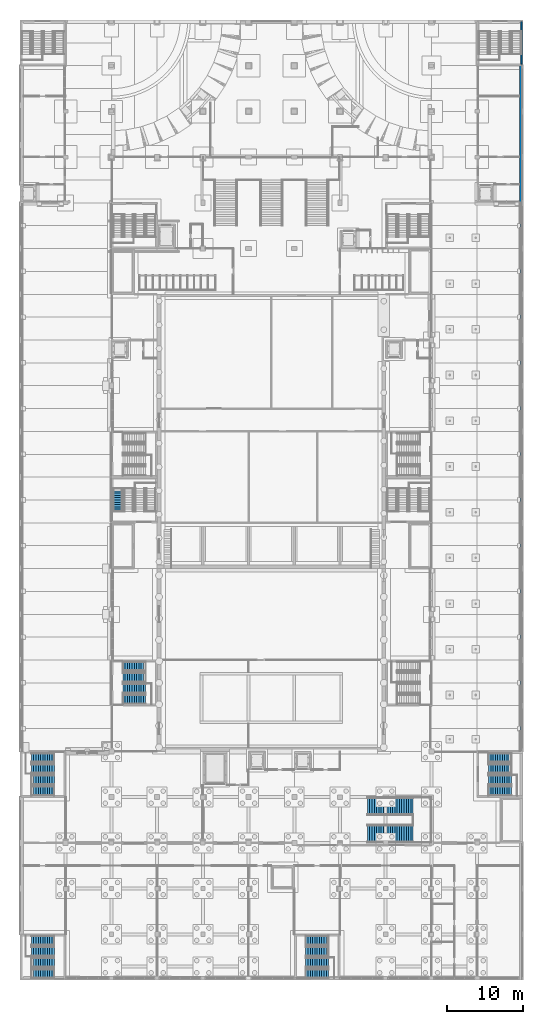
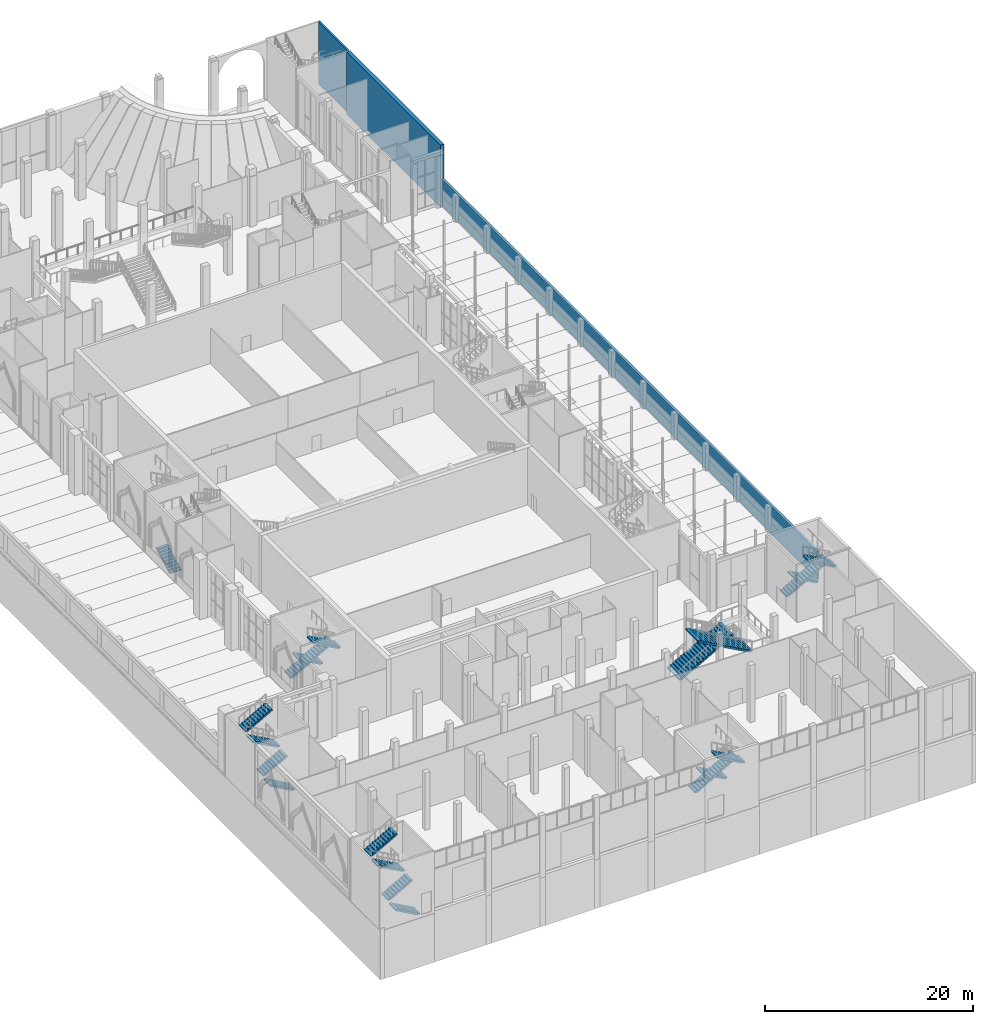
# One storey, part 53 of 95: 23 stair flights, 3 walls, 7 elements without a shape of their own.
"""IFC4 building model written with IfcOpenShell, lengths in metres."""

from ifc_helpers import new_model, si_unit, direction, frame, frame_2d, origin, place, context, subcontext, project, spatial, polyline, rectangle, outline, extrude, material, layer, layer_set, type_object, element, aggregate, save


model = new_model("IFC4")

# Units and contexts
model_context = context("Model", 3, precision=1e-05, world=origin(), true_north=direction((0.0, 1.0)))
body_context = subcontext(model_context, "Body", "Model", "MODEL_VIEW")
ifc_project = project(units=[si_unit("LENGTHUNIT", "METRE"), si_unit("AREAUNIT", "SQUARE_METRE"), si_unit("VOLUMEUNIT", "CUBIC_METRE"), si_unit("PLANEANGLEUNIT", "RADIAN"), si_unit("MASSUNIT", "GRAM", prefix="KILO")], contexts=[model_context])

# Site, building, storey
site_placement = place(None, origin())
site = spatial("IfcSite", under=ifc_project, at=site_placement, CompositionType="ELEMENT")
building_placement = place(site_placement, origin())
building = spatial("IfcBuilding", under=site, at=building_placement, Name="Saffron Lane Theatres", CompositionType="ELEMENT")
storey_placement = place(building_placement, origin())
storey = spatial("IfcBuildingStorey", under=building, at=storey_placement, Name="L00", CompositionType="ELEMENT", Elevation=0.0)

# Walls
ifc_material_1 = material(Name="Concrete N50 (50 MPa)", Category="concrete")
ifc_layer_1 = layer(ifc_material_1, 0.25)
ifc_layer_set_1 = layer_set([ifc_layer_1], Name="Concrete N50 (50 MPa)")
wall_type_1 = type_object("IfcWallType", Name="RC-BOUNDARY 250", PredefinedType="SOLIDWALL", material=ifc_layer_set_1)
wall_1_placement = place(storey_placement, frame((65.81494140625, 30.0, -0.300048828125), z_axis=(0.0, 0.0, 1.0), x_axis=(0.0, 1.0, 0.0)))
element("IfcWall", 1, at=wall_1_placement, inside=storey, type_object=wall_type_1, Name="W-BOUNDARY-E-L00", PredefinedType="SOLIDWALL", context=body_context, shape_type="SweptSolid", body=[
    extrude(rectangle(XDim=72.0, YDim=0.25, at=frame_2d((36.0, 0.0))), origin(), (0.0, 0.0, 1.0), 3.300048828125),
])
ifc_material_2 = material(Name="Concrete N50 (50 MPa)", Category="concrete")
ifc_layer_2 = layer(ifc_material_2, 0.199951171875)
ifc_layer_set_2 = layer_set([ifc_layer_2], Name="Concrete N50 (50 MPa)")
wall_type_2 = type_object("IfcWallType", Name="RC-CORE EXTERNAL 200", PredefinedType="SHEAR", material=ifc_layer_set_2)
wall_2_placement = place(storey_placement, frame((65.840087890625, 120.199951171875, -0.300048828125), z_axis=(0.0, 0.0, 1.0), x_axis=(0.0, 1.0, 0.0)))
element("IfcWall", 2, at=wall_2_placement, inside=storey, type_object=wall_type_2, Name="W-ST15-E-L00", PredefinedType="SHEAR", context=body_context, shape_type="SweptSolid", body=[
    extrude(rectangle(XDim=5.60009765625, YDim=0.199951171875, at=frame_2d((2.800048828125, 0.0))), origin(), (0.0, 0.0, 1.0), 7.300048828125),
])
ifc_material_3 = material(Name="Concrete N50 (50 MPa)", Category="concrete")
ifc_layer_3 = layer(ifc_material_3, 0.39990234375)
ifc_layer_set_3 = layer_set([ifc_layer_3], Name="Concrete N50 (50 MPa)")
wall_type_3 = type_object("IfcWallType", Name="RC-PARTY 400", PredefinedType="SOLIDWALL", material=ifc_layer_set_3)
wall_3_placement = place(storey_placement, frame((65.739990234375, 102.0, -0.300048828125), z_axis=(0.0, 0.0, 1.0), x_axis=(0.0, 1.0, 0.0)))
element("IfcWall", 3, at=wall_3_placement, inside=storey, type_object=wall_type_3, Name="W-PARTY-E-102-L00", PredefinedType="SOLIDWALL", context=body_context, shape_type="SweptSolid", body=[
    extrude(rectangle(XDim=18.0, YDim=0.39990234375, at=frame_2d((9.0, 0.0))), origin(), (0.0, 0.0, 1.0), 7.300048828125),
])

# Stair, stair flight
ifc_material_4 = material(Name="Concrete N40 (40 MPa)", Category="concrete")
stair_type_1 = type_object("IfcStairType", Name="VC-STAIR EXIT", PredefinedType="TWO_STRAIGHT_RUN_STAIR", material=ifc_material_4)
stair_1_placement = place(storey_placement, origin())
stair_1 = element("IfcStair", 4, at=stair_1_placement, inside=storey, type_object=stair_type_1, Name="Auditorium West Front Stair L00 to L01", PredefinedType="TWO_STRAIGHT_RUN_STAIR")
ifc_material_5 = material(Name="Concrete N40 (40 MPa)", Category="concrete")
stair_flight_type_1 = type_object("IfcStairFlightType", Name="VC-FLIGHT 1250", PredefinedType="STRAIGHT", material=ifc_material_5)
stair_flight_1_placement = place(storey_placement, frame((12.824951171875, 61.5, 0.0), z_axis=(0.0, 0.0, 1.0), x_axis=(0.0, 1.0, 0.0)))
stair_flight_1 = element("IfcStairFlight", 5, at=stair_flight_1_placement, type_object=stair_flight_type_1, Name="Auditorium West Front Stair flight 1.1", NumberOfRisers=10, NumberOfTreads=9, PredefinedType="STRAIGHT", RiserHeight=0.166666667, TreadLength=0.3, context=body_context, shape_type="SweptSolid", body=[
    extrude(outline(polyline([(0.0, 0.0), (0.0, 0.166748046875), (0.300048828125, 0.166748046875), (0.300048828125, 0.333251953125), (0.60009765625, 0.333251953125), (0.60009765625, 0.5), (0.89990234375, 0.5), (0.89990234375, 0.666748046875), (1.199951171875, 0.666748046875), (1.199951171875, 0.833251953125), (1.5, 0.833251953125), (1.5, 1.0), (1.800048828125, 1.0), (1.800048828125, 1.166748046875), (2.10009765625, 1.166748046875), (2.10009765625, 1.333251953125), (2.39990234375, 1.333251953125), (2.39990234375, 1.5), (2.699951171875, 1.5), (2.699951171875, 1.666748046875), (2.699951171875, 1.32861328125), (0.30859375, 0.0), (0.0, 0.0)])), frame((0.0, 0.625, 0.0), z_axis=(0.0, -1.0, 0.0), x_axis=(1.0, 0.0, 0.0)), (0.0, 0.0, 1.0), 1.25),
])
aggregate(stair_1, [stair_flight_1])

# Stair, stair flights
stair_2_placement = place(storey_placement, origin())
stair_2 = element("IfcStair", 6, at=stair_2_placement, inside=storey, type_object=stair_type_1, Name="Stage West Stair L00 to L01", PredefinedType="TWO_STRAIGHT_RUN_STAIR")
stair_flight_2_placement = place(storey_placement, frame((13.5, 41.175048828125, 0.0), z_axis=(0.0, 0.0, 1.0), x_axis=(1.0, 0.0, 0.0)))
stair_flight_2 = element("IfcStairFlight", 7, at=stair_flight_2_placement, type_object=stair_flight_type_1, Name="Stage West Stair flight 1.1", NumberOfRisers=10, NumberOfTreads=9, PredefinedType="STRAIGHT", RiserHeight=0.166666667, TreadLength=0.3, context=body_context, shape_type="SweptSolid", body=[
    extrude(outline(polyline([(0.0, 0.0), (0.0, 0.166748046875), (0.300048828125, 0.166748046875), (0.300048828125, 0.333251953125), (0.60009765625, 0.333251953125), (0.60009765625, 0.5), (0.89990234375, 0.5), (0.89990234375, 0.666748046875), (1.199951171875, 0.666748046875), (1.199951171875, 0.833251953125), (1.5, 0.833251953125), (1.5, 1.0), (1.800048828125, 1.0), (1.800048828125, 1.166748046875), (2.10009765625, 1.166748046875), (2.10009765625, 1.333251953125), (2.39990234375, 1.333251953125), (2.39990234375, 1.5), (2.699951171875, 1.5), (2.699951171875, 1.666748046875), (2.699951171875, 1.32861328125), (0.30859375, 0.0), (0.0, 0.0)])), frame((0.0, 0.625, 0.0), z_axis=(0.0, -1.0, 0.0), x_axis=(1.0, 0.0, 0.0)), (0.0, 0.0, 1.0), 1.25),
])
stair_flight_3_placement = place(storey_placement, frame((16.199951171875, 39.72509765625, 1.666748046875), z_axis=(0.0, 0.0, 1.0), x_axis=(-1.0, 0.0, 0.0)))
stair_flight_3 = element("IfcStairFlight", 8, at=stair_flight_3_placement, type_object=stair_flight_type_1, Name="Stage West Stair flight 1.2", NumberOfRisers=10, NumberOfTreads=9, PredefinedType="STRAIGHT", RiserHeight=0.166666667, TreadLength=0.3, context=body_context, shape_type="SweptSolid", body=[
    extrude(outline(polyline([(0.0, 0.0), (0.0, 0.166748046875), (0.300048828125, 0.166748046875), (0.300048828125, 0.333251953125), (0.60009765625, 0.333251953125), (0.60009765625, 0.5), (0.89990234375, 0.5), (0.89990234375, 0.666748046875), (1.199951171875, 0.666748046875), (1.199951171875, 0.833251953125), (1.5, 0.833251953125), (1.5, 1.0), (1.800048828125, 1.0), (1.800048828125, 1.166748046875), (2.10009765625, 1.166748046875), (2.10009765625, 1.333251953125), (2.39990234375, 1.333251953125), (2.39990234375, 1.5), (2.699951171875, 1.5), (2.699951171875, 1.666748046875), (2.699951171875, 1.32861328125), (0.30859375, 0.0), (0.0, 0.0)])), frame((0.0, 0.625, 0.0), z_axis=(0.0, -1.0, 0.0), x_axis=(1.0, 0.0, 0.0)), (0.0, 0.0, 1.0), 1.25),
])
stair_flight_4_placement = place(storey_placement, frame((13.5, 38.27490234375, 3.333251953125), z_axis=(0.0, 0.0, 1.0), x_axis=(1.0, 0.0, 0.0)))
stair_flight_4 = element("IfcStairFlight", 9, at=stair_flight_4_placement, type_object=stair_flight_type_1, Name="Stage West Stair flight 1.3", NumberOfRisers=11, NumberOfTreads=10, PredefinedType="STRAIGHT", RiserHeight=0.166666667, TreadLength=0.3, context=body_context, shape_type="SweptSolid", body=[
    extrude(outline(polyline([(0.0, 0.0), (0.0, 0.166748046875), (0.300048828125, 0.166748046875), (0.300048828125, 0.333251953125), (0.60009765625, 0.333251953125), (0.60009765625, 0.5), (0.89990234375, 0.5), (0.89990234375, 0.666748046875), (1.199951171875, 0.666748046875), (1.199951171875, 0.833251953125), (1.5, 0.833251953125), (1.5, 1.0), (1.800048828125, 1.0), (1.800048828125, 1.166748046875), (2.10009765625, 1.166748046875), (2.10009765625, 1.333251953125), (2.39990234375, 1.333251953125), (2.39990234375, 1.5), (2.699951171875, 1.5), (2.699951171875, 1.666748046875), (3.0, 1.666748046875), (3.0, 1.833251953125), (3.0, 1.4951171875), (0.30859375, 0.0), (0.0, 0.0)])), frame((0.0, 0.625, 0.0), z_axis=(0.0, -1.0, 0.0), x_axis=(1.0, 0.0, 0.0)), (0.0, 0.0, 1.0), 1.25),
])
stair_flight_5_placement = place(storey_placement, frame((16.5, 36.824951171875, 5.166748046875), z_axis=(0.0, 0.0, 1.0), x_axis=(-1.0, 0.0, 0.0)))
stair_flight_5 = element("IfcStairFlight", 10, at=stair_flight_5_placement, type_object=stair_flight_type_1, Name="Stage West Stair flight 1.4", NumberOfRisers=11, NumberOfTreads=10, PredefinedType="STRAIGHT", RiserHeight=0.166666667, TreadLength=0.3, context=body_context, shape_type="SweptSolid", body=[
    extrude(outline(polyline([(0.0, 0.0), (0.0, 0.166748046875), (0.300048828125, 0.166748046875), (0.300048828125, 0.333251953125), (0.60009765625, 0.333251953125), (0.60009765625, 0.5), (0.89990234375, 0.5), (0.89990234375, 0.666748046875), (1.199951171875, 0.666748046875), (1.199951171875, 0.833251953125), (1.5, 0.833251953125), (1.5, 1.0), (1.800048828125, 1.0), (1.800048828125, 1.166748046875), (2.10009765625, 1.166748046875), (2.10009765625, 1.333251953125), (2.39990234375, 1.333251953125), (2.39990234375, 1.5), (2.699951171875, 1.5), (2.699951171875, 1.666748046875), (3.0, 1.666748046875), (3.0, 1.833251953125), (3.0, 1.4951171875), (0.30859375, 0.0), (0.0, 0.0)])), frame((0.0, 0.625, 0.0), z_axis=(0.0, -1.0, 0.0), x_axis=(1.0, 0.0, 0.0)), (0.0, 0.0, 1.0), 1.25),
])
aggregate(stair_2, [stair_flight_2, stair_flight_3, stair_flight_4, stair_flight_5])

stair_3_placement = place(storey_placement, origin())
stair_3 = element("IfcStair", 11, at=stair_3_placement, inside=storey, type_object=stair_type_1, Name="Workshop South West Stair L00 to L01", PredefinedType="TWO_STRAIGHT_RUN_STAIR")
stair_flight_6_placement = place(storey_placement, frame((4.5, 0.824951171875, 0.0), z_axis=(0.0, 0.0, 1.0), x_axis=(-1.0, 0.0, 0.0)))
stair_flight_6 = element("IfcStairFlight", 12, at=stair_flight_6_placement, type_object=stair_flight_type_1, Name="Workshop South West Stair flight 1.1", NumberOfRisers=10, NumberOfTreads=9, PredefinedType="STRAIGHT", RiserHeight=0.166666667, TreadLength=0.3, context=body_context, shape_type="SweptSolid", body=[
    extrude(outline(polyline([(0.0, 0.0), (0.0, 0.166748046875), (0.300048828125, 0.166748046875), (0.300048828125, 0.333251953125), (0.60009765625, 0.333251953125), (0.60009765625, 0.5), (0.89990234375, 0.5), (0.89990234375, 0.666748046875), (1.199951171875, 0.666748046875), (1.199951171875, 0.833251953125), (1.5, 0.833251953125), (1.5, 1.0), (1.800048828125, 1.0), (1.800048828125, 1.166748046875), (2.10009765625, 1.166748046875), (2.10009765625, 1.333251953125), (2.39990234375, 1.333251953125), (2.39990234375, 1.5), (2.699951171875, 1.5), (2.699951171875, 1.666748046875), (2.699951171875, 1.32861328125), (0.30859375, 0.0), (0.0, 0.0)])), frame((0.0, 0.625, 0.0), z_axis=(0.0, -1.0, 0.0), x_axis=(1.0, 0.0, 0.0)), (0.0, 0.0, 1.0), 1.25),
])
stair_flight_7_placement = place(storey_placement, frame((1.800048828125, 2.27490234375, 1.666748046875), z_axis=(0.0, 0.0, 1.0), x_axis=(1.0, 0.0, 0.0)))
stair_flight_7 = element("IfcStairFlight", 13, at=stair_flight_7_placement, type_object=stair_flight_type_1, Name="Workshop South West Stair flight 1.2", NumberOfRisers=10, NumberOfTreads=9, PredefinedType="STRAIGHT", RiserHeight=0.166666667, TreadLength=0.3, context=body_context, shape_type="SweptSolid", body=[
    extrude(outline(polyline([(0.0, 0.0), (0.0, 0.166748046875), (0.300048828125, 0.166748046875), (0.300048828125, 0.333251953125), (0.60009765625, 0.333251953125), (0.60009765625, 0.5), (0.89990234375, 0.5), (0.89990234375, 0.666748046875), (1.199951171875, 0.666748046875), (1.199951171875, 0.833251953125), (1.5, 0.833251953125), (1.5, 1.0), (1.800048828125, 1.0), (1.800048828125, 1.166748046875), (2.10009765625, 1.166748046875), (2.10009765625, 1.333251953125), (2.39990234375, 1.333251953125), (2.39990234375, 1.5), (2.699951171875, 1.5), (2.699951171875, 1.666748046875), (2.699951171875, 1.32861328125), (0.30859375, 0.0), (0.0, 0.0)])), frame((0.0, 0.625, 0.0), z_axis=(0.0, -1.0, 0.0), x_axis=(1.0, 0.0, 0.0)), (0.0, 0.0, 1.0), 1.25),
])
stair_flight_8_placement = place(storey_placement, frame((4.5, 3.72509765625, 3.333251953125), z_axis=(0.0, 0.0, 1.0), x_axis=(-1.0, 0.0, 0.0)))
stair_flight_8 = element("IfcStairFlight", 14, at=stair_flight_8_placement, type_object=stair_flight_type_1, Name="Workshop South West Stair flight 1.3", NumberOfRisers=11, NumberOfTreads=10, PredefinedType="STRAIGHT", RiserHeight=0.166666667, TreadLength=0.3, context=body_context, shape_type="SweptSolid", body=[
    extrude(outline(polyline([(0.0, 0.0), (0.0, 0.166748046875), (0.300048828125, 0.166748046875), (0.300048828125, 0.333251953125), (0.60009765625, 0.333251953125), (0.60009765625, 0.5), (0.89990234375, 0.5), (0.89990234375, 0.666748046875), (1.199951171875, 0.666748046875), (1.199951171875, 0.833251953125), (1.5, 0.833251953125), (1.5, 1.0), (1.800048828125, 1.0), (1.800048828125, 1.166748046875), (2.10009765625, 1.166748046875), (2.10009765625, 1.333251953125), (2.39990234375, 1.333251953125), (2.39990234375, 1.5), (2.699951171875, 1.5), (2.699951171875, 1.666748046875), (3.0, 1.666748046875), (3.0, 1.833251953125), (3.0, 1.4951171875), (0.30859375, 0.0), (0.0, 0.0)])), frame((0.0, 0.625, 0.0), z_axis=(0.0, -1.0, 0.0), x_axis=(1.0, 0.0, 0.0)), (0.0, 0.0, 1.0), 1.25),
])
stair_flight_9_placement = place(storey_placement, frame((1.5, 5.175048828125, 5.166748046875), z_axis=(0.0, 0.0, 1.0), x_axis=(1.0, 0.0, 0.0)))
stair_flight_9 = element("IfcStairFlight", 15, at=stair_flight_9_placement, type_object=stair_flight_type_1, Name="Workshop South West Stair flight 1.4", NumberOfRisers=11, NumberOfTreads=10, PredefinedType="STRAIGHT", RiserHeight=0.166666667, TreadLength=0.3, context=body_context, shape_type="SweptSolid", body=[
    extrude(outline(polyline([(0.0, 0.0), (0.0, 0.166748046875), (0.300048828125, 0.166748046875), (0.300048828125, 0.333251953125), (0.60009765625, 0.333251953125), (0.60009765625, 0.5), (0.89990234375, 0.5), (0.89990234375, 0.666748046875), (1.199951171875, 0.666748046875), (1.199951171875, 0.833251953125), (1.5, 0.833251953125), (1.5, 1.0), (1.800048828125, 1.0), (1.800048828125, 1.166748046875), (2.10009765625, 1.166748046875), (2.10009765625, 1.333251953125), (2.39990234375, 1.333251953125), (2.39990234375, 1.5), (2.699951171875, 1.5), (2.699951171875, 1.666748046875), (3.0, 1.666748046875), (3.0, 1.833251953125), (3.0, 1.4951171875), (0.30859375, 0.0), (0.0, 0.0)])), frame((0.0, 0.625, 0.0), z_axis=(0.0, -1.0, 0.0), x_axis=(1.0, 0.0, 0.0)), (0.0, 0.0, 1.0), 1.25),
])
aggregate(stair_3, [stair_flight_6, stair_flight_7, stair_flight_8, stair_flight_9])

stair_4_placement = place(storey_placement, origin())
stair_4 = element("IfcStair", 16, at=stair_4_placement, inside=storey, type_object=stair_type_1, Name="Studio South Stair L00 to L01", PredefinedType="TWO_STRAIGHT_RUN_STAIR")
stair_flight_10_placement = place(storey_placement, frame((37.5, 5.175048828125, 0.0), z_axis=(0.0, 0.0, 1.0), x_axis=(1.0, 0.0, 0.0)))
stair_flight_10 = element("IfcStairFlight", 17, at=stair_flight_10_placement, type_object=stair_flight_type_1, Name="Studio South Stair flight 1.1", NumberOfRisers=10, NumberOfTreads=9, PredefinedType="STRAIGHT", RiserHeight=0.166666667, TreadLength=0.3, context=body_context, shape_type="SweptSolid", body=[
    extrude(outline(polyline([(0.0, 0.0), (0.0, 0.166748046875), (0.300048828125, 0.166748046875), (0.300048828125, 0.333251953125), (0.60009765625, 0.333251953125), (0.60009765625, 0.5), (0.89990234375, 0.5), (0.89990234375, 0.666748046875), (1.199951171875, 0.666748046875), (1.199951171875, 0.833251953125), (1.5, 0.833251953125), (1.5, 1.0), (1.800048828125, 1.0), (1.800048828125, 1.166748046875), (2.10009765625, 1.166748046875), (2.10009765625, 1.333251953125), (2.39990234375, 1.333251953125), (2.39990234375, 1.5), (2.699951171875, 1.5), (2.699951171875, 1.666748046875), (2.699951171875, 1.32861328125), (0.30859375, 0.0), (0.0, 0.0)])), frame((0.0, 0.625, 0.0), z_axis=(0.0, -1.0, 0.0), x_axis=(1.0, 0.0, 0.0)), (0.0, 0.0, 1.0), 1.25),
])
stair_flight_11_placement = place(storey_placement, frame((40.199951171875, 3.72509765625, 1.666748046875), z_axis=(0.0, 0.0, 1.0), x_axis=(-1.0, 0.0, 0.0)))
stair_flight_11 = element("IfcStairFlight", 18, at=stair_flight_11_placement, type_object=stair_flight_type_1, Name="Studio South Stair flight 1.2", NumberOfRisers=10, NumberOfTreads=9, PredefinedType="STRAIGHT", RiserHeight=0.166666667, TreadLength=0.3, context=body_context, shape_type="SweptSolid", body=[
    extrude(outline(polyline([(0.0, 0.0), (0.0, 0.166748046875), (0.300048828125, 0.166748046875), (0.300048828125, 0.333251953125), (0.60009765625, 0.333251953125), (0.60009765625, 0.5), (0.89990234375, 0.5), (0.89990234375, 0.666748046875), (1.199951171875, 0.666748046875), (1.199951171875, 0.833251953125), (1.5, 0.833251953125), (1.5, 1.0), (1.800048828125, 1.0), (1.800048828125, 1.166748046875), (2.10009765625, 1.166748046875), (2.10009765625, 1.333251953125), (2.39990234375, 1.333251953125), (2.39990234375, 1.5), (2.699951171875, 1.5), (2.699951171875, 1.666748046875), (2.699951171875, 1.32861328125), (0.30859375, 0.0), (0.0, 0.0)])), frame((0.0, 0.625, 0.0), z_axis=(0.0, -1.0, 0.0), x_axis=(1.0, 0.0, 0.0)), (0.0, 0.0, 1.0), 1.25),
])
stair_flight_12_placement = place(storey_placement, frame((37.5, 2.27490234375, 3.333251953125), z_axis=(0.0, 0.0, 1.0), x_axis=(1.0, 0.0, 0.0)))
stair_flight_12 = element("IfcStairFlight", 19, at=stair_flight_12_placement, type_object=stair_flight_type_1, Name="Studio South Stair flight 1.3", NumberOfRisers=11, NumberOfTreads=10, PredefinedType="STRAIGHT", RiserHeight=0.166666667, TreadLength=0.3, context=body_context, shape_type="SweptSolid", body=[
    extrude(outline(polyline([(0.0, 0.0), (0.0, 0.166748046875), (0.300048828125, 0.166748046875), (0.300048828125, 0.333251953125), (0.60009765625, 0.333251953125), (0.60009765625, 0.5), (0.89990234375, 0.5), (0.89990234375, 0.666748046875), (1.199951171875, 0.666748046875), (1.199951171875, 0.833251953125), (1.5, 0.833251953125), (1.5, 1.0), (1.800048828125, 1.0), (1.800048828125, 1.166748046875), (2.10009765625, 1.166748046875), (2.10009765625, 1.333251953125), (2.39990234375, 1.333251953125), (2.39990234375, 1.5), (2.699951171875, 1.5), (2.699951171875, 1.666748046875), (3.0, 1.666748046875), (3.0, 1.833251953125), (3.0, 1.4951171875), (0.30859375, 0.0), (0.0, 0.0)])), frame((0.0, 0.625, 0.0), z_axis=(0.0, -1.0, 0.0), x_axis=(1.0, 0.0, 0.0)), (0.0, 0.0, 1.0), 1.25),
])
stair_flight_13_placement = place(storey_placement, frame((40.5, 0.824951171875, 5.166748046875), z_axis=(0.0, 0.0, 1.0), x_axis=(-1.0, 0.0, 0.0)))
stair_flight_13 = element("IfcStairFlight", 20, at=stair_flight_13_placement, type_object=stair_flight_type_1, Name="Studio South Stair flight 1.4", NumberOfRisers=11, NumberOfTreads=10, PredefinedType="STRAIGHT", RiserHeight=0.166666667, TreadLength=0.3, context=body_context, shape_type="SweptSolid", body=[
    extrude(outline(polyline([(0.0, 0.0), (0.0, 0.166748046875), (0.300048828125, 0.166748046875), (0.300048828125, 0.333251953125), (0.60009765625, 0.333251953125), (0.60009765625, 0.5), (0.89990234375, 0.5), (0.89990234375, 0.666748046875), (1.199951171875, 0.666748046875), (1.199951171875, 0.833251953125), (1.5, 0.833251953125), (1.5, 1.0), (1.800048828125, 1.0), (1.800048828125, 1.166748046875), (2.10009765625, 1.166748046875), (2.10009765625, 1.333251953125), (2.39990234375, 1.333251953125), (2.39990234375, 1.5), (2.699951171875, 1.5), (2.699951171875, 1.666748046875), (3.0, 1.666748046875), (3.0, 1.833251953125), (3.0, 1.4951171875), (0.30859375, 0.0), (0.0, 0.0)])), frame((0.0, 0.625, 0.0), z_axis=(0.0, -1.0, 0.0), x_axis=(1.0, 0.0, 0.0)), (0.0, 0.0, 1.0), 1.25),
])
aggregate(stair_4, [stair_flight_10, stair_flight_11, stair_flight_12, stair_flight_13])

stair_5_placement = place(storey_placement, origin())
stair_5 = element("IfcStair", 21, at=stair_5_placement, inside=storey, type_object=stair_type_1, Name="Workshop North Stair L00 to L01", PredefinedType="TWO_STRAIGHT_RUN_STAIR")
stair_flight_14_placement = place(storey_placement, frame((4.5, 24.824951171875, 0.0), z_axis=(0.0, 0.0, 1.0), x_axis=(-1.0, 0.0, 0.0)))
stair_flight_14 = element("IfcStairFlight", 22, at=stair_flight_14_placement, type_object=stair_flight_type_1, Name="Workshop North Stair flight 1.1", NumberOfRisers=10, NumberOfTreads=9, PredefinedType="STRAIGHT", RiserHeight=0.166666667, TreadLength=0.3, context=body_context, shape_type="SweptSolid", body=[
    extrude(outline(polyline([(0.0, 0.0), (0.0, 0.166748046875), (0.300048828125, 0.166748046875), (0.300048828125, 0.333251953125), (0.60009765625, 0.333251953125), (0.60009765625, 0.5), (0.89990234375, 0.5), (0.89990234375, 0.666748046875), (1.199951171875, 0.666748046875), (1.199951171875, 0.833251953125), (1.5, 0.833251953125), (1.5, 1.0), (1.800048828125, 1.0), (1.800048828125, 1.166748046875), (2.10009765625, 1.166748046875), (2.10009765625, 1.333251953125), (2.39990234375, 1.333251953125), (2.39990234375, 1.5), (2.699951171875, 1.5), (2.699951171875, 1.666748046875), (2.699951171875, 1.32861328125), (0.30859375, 0.0), (0.0, 0.0)])), frame((0.0, 0.625, 0.0), z_axis=(0.0, -1.0, 0.0), x_axis=(1.0, 0.0, 0.0)), (0.0, 0.0, 1.0), 1.25),
])
stair_flight_15_placement = place(storey_placement, frame((1.800048828125, 26.27490234375, 1.666748046875), z_axis=(0.0, 0.0, 1.0), x_axis=(1.0, 0.0, 0.0)))
stair_flight_15 = element("IfcStairFlight", 23, at=stair_flight_15_placement, type_object=stair_flight_type_1, Name="Workshop North Stair flight 1.2", NumberOfRisers=10, NumberOfTreads=9, PredefinedType="STRAIGHT", RiserHeight=0.166666667, TreadLength=0.3, context=body_context, shape_type="SweptSolid", body=[
    extrude(outline(polyline([(0.0, 0.0), (0.0, 0.166748046875), (0.300048828125, 0.166748046875), (0.300048828125, 0.333251953125), (0.60009765625, 0.333251953125), (0.60009765625, 0.5), (0.89990234375, 0.5), (0.89990234375, 0.666748046875), (1.199951171875, 0.666748046875), (1.199951171875, 0.833251953125), (1.5, 0.833251953125), (1.5, 1.0), (1.800048828125, 1.0), (1.800048828125, 1.166748046875), (2.10009765625, 1.166748046875), (2.10009765625, 1.333251953125), (2.39990234375, 1.333251953125), (2.39990234375, 1.5), (2.699951171875, 1.5), (2.699951171875, 1.666748046875), (2.699951171875, 1.32861328125), (0.30859375, 0.0), (0.0, 0.0)])), frame((0.0, 0.625, 0.0), z_axis=(0.0, -1.0, 0.0), x_axis=(1.0, 0.0, 0.0)), (0.0, 0.0, 1.0), 1.25),
])
stair_flight_16_placement = place(storey_placement, frame((4.5, 27.72509765625, 3.333251953125), z_axis=(0.0, 0.0, 1.0), x_axis=(-1.0, 0.0, 0.0)))
stair_flight_16 = element("IfcStairFlight", 24, at=stair_flight_16_placement, type_object=stair_flight_type_1, Name="Workshop North Stair flight 1.3", NumberOfRisers=11, NumberOfTreads=10, PredefinedType="STRAIGHT", RiserHeight=0.166666667, TreadLength=0.3, context=body_context, shape_type="SweptSolid", body=[
    extrude(outline(polyline([(0.0, 0.0), (0.0, 0.166748046875), (0.300048828125, 0.166748046875), (0.300048828125, 0.333251953125), (0.60009765625, 0.333251953125), (0.60009765625, 0.5), (0.89990234375, 0.5), (0.89990234375, 0.666748046875), (1.199951171875, 0.666748046875), (1.199951171875, 0.833251953125), (1.5, 0.833251953125), (1.5, 1.0), (1.800048828125, 1.0), (1.800048828125, 1.166748046875), (2.10009765625, 1.166748046875), (2.10009765625, 1.333251953125), (2.39990234375, 1.333251953125), (2.39990234375, 1.5), (2.699951171875, 1.5), (2.699951171875, 1.666748046875), (3.0, 1.666748046875), (3.0, 1.833251953125), (3.0, 1.4951171875), (0.30859375, 0.0), (0.0, 0.0)])), frame((0.0, 0.625, 0.0), z_axis=(0.0, -1.0, 0.0), x_axis=(1.0, 0.0, 0.0)), (0.0, 0.0, 1.0), 1.25),
])
stair_flight_17_placement = place(storey_placement, frame((1.5, 29.175048828125, 5.166748046875), z_axis=(0.0, 0.0, 1.0), x_axis=(1.0, 0.0, 0.0)))
stair_flight_17 = element("IfcStairFlight", 25, at=stair_flight_17_placement, type_object=stair_flight_type_1, Name="Workshop North Stair flight 1.4", NumberOfRisers=11, NumberOfTreads=10, PredefinedType="STRAIGHT", RiserHeight=0.166666667, TreadLength=0.3, context=body_context, shape_type="SweptSolid", body=[
    extrude(outline(polyline([(0.0, 0.0), (0.0, 0.166748046875), (0.300048828125, 0.166748046875), (0.300048828125, 0.333251953125), (0.60009765625, 0.333251953125), (0.60009765625, 0.5), (0.89990234375, 0.5), (0.89990234375, 0.666748046875), (1.199951171875, 0.666748046875), (1.199951171875, 0.833251953125), (1.5, 0.833251953125), (1.5, 1.0), (1.800048828125, 1.0), (1.800048828125, 1.166748046875), (2.10009765625, 1.166748046875), (2.10009765625, 1.333251953125), (2.39990234375, 1.333251953125), (2.39990234375, 1.5), (2.699951171875, 1.5), (2.699951171875, 1.666748046875), (3.0, 1.666748046875), (3.0, 1.833251953125), (3.0, 1.4951171875), (0.30859375, 0.0), (0.0, 0.0)])), frame((0.0, 0.625, 0.0), z_axis=(0.0, -1.0, 0.0), x_axis=(1.0, 0.0, 0.0)), (0.0, 0.0, 1.0), 1.25),
])
aggregate(stair_5, [stair_flight_14, stair_flight_15, stair_flight_16, stair_flight_17])

stair_6_placement = place(storey_placement, origin())
stair_6 = element("IfcStair", 26, at=stair_6_placement, inside=storey, type_object=stair_type_1, Name="Studio North Stair L00 to L01", PredefinedType="TWO_STRAIGHT_RUN_STAIR")
stair_flight_18_placement = place(storey_placement, frame((61.5, 29.175048828125, 0.0), z_axis=(0.0, 0.0, 1.0), x_axis=(1.0, 0.0, 0.0)))
stair_flight_18 = element("IfcStairFlight", 27, at=stair_flight_18_placement, type_object=stair_flight_type_1, Name="Studio North Stair flight 1.1", NumberOfRisers=10, NumberOfTreads=9, PredefinedType="STRAIGHT", RiserHeight=0.166666667, TreadLength=0.3, context=body_context, shape_type="SweptSolid", body=[
    extrude(outline(polyline([(0.0, 0.0), (0.0, 0.166748046875), (0.300048828125, 0.166748046875), (0.300048828125, 0.333251953125), (0.60009765625, 0.333251953125), (0.60009765625, 0.5), (0.89990234375, 0.5), (0.89990234375, 0.666748046875), (1.199951171875, 0.666748046875), (1.199951171875, 0.833251953125), (1.5, 0.833251953125), (1.5, 1.0), (1.800048828125, 1.0), (1.800048828125, 1.166748046875), (2.10009765625, 1.166748046875), (2.10009765625, 1.333251953125), (2.39990234375, 1.333251953125), (2.39990234375, 1.5), (2.699951171875, 1.5), (2.699951171875, 1.666748046875), (2.699951171875, 1.32861328125), (0.30859375, 0.0), (0.0, 0.0)])), frame((0.0, 0.625, 0.0), z_axis=(0.0, -1.0, 0.0), x_axis=(1.0, 0.0, 0.0)), (0.0, 0.0, 1.0), 1.25),
])
stair_flight_19_placement = place(storey_placement, frame((64.199951171875, 27.72509765625, 1.666748046875), z_axis=(0.0, 0.0, 1.0), x_axis=(-1.0, 0.0, 0.0)))
stair_flight_19 = element("IfcStairFlight", 28, at=stair_flight_19_placement, type_object=stair_flight_type_1, Name="Studio North Stair flight 1.2", NumberOfRisers=10, NumberOfTreads=9, PredefinedType="STRAIGHT", RiserHeight=0.166666667, TreadLength=0.3, context=body_context, shape_type="SweptSolid", body=[
    extrude(outline(polyline([(0.0, 0.0), (0.0, 0.166748046875), (0.300048828125, 0.166748046875), (0.300048828125, 0.333251953125), (0.60009765625, 0.333251953125), (0.60009765625, 0.5), (0.89990234375, 0.5), (0.89990234375, 0.666748046875), (1.199951171875, 0.666748046875), (1.199951171875, 0.833251953125), (1.5, 0.833251953125), (1.5, 1.0), (1.800048828125, 1.0), (1.800048828125, 1.166748046875), (2.10009765625, 1.166748046875), (2.10009765625, 1.333251953125), (2.39990234375, 1.333251953125), (2.39990234375, 1.5), (2.699951171875, 1.5), (2.699951171875, 1.666748046875), (2.699951171875, 1.32861328125), (0.30859375, 0.0), (0.0, 0.0)])), frame((0.0, 0.625, 0.0), z_axis=(0.0, -1.0, 0.0), x_axis=(1.0, 0.0, 0.0)), (0.0, 0.0, 1.0), 1.25),
])
stair_flight_20_placement = place(storey_placement, frame((61.5, 26.27490234375, 3.333251953125), z_axis=(0.0, 0.0, 1.0), x_axis=(1.0, 0.0, 0.0)))
stair_flight_20 = element("IfcStairFlight", 29, at=stair_flight_20_placement, type_object=stair_flight_type_1, Name="Studio North Stair flight 1.3", NumberOfRisers=11, NumberOfTreads=10, PredefinedType="STRAIGHT", RiserHeight=0.166666667, TreadLength=0.3, context=body_context, shape_type="SweptSolid", body=[
    extrude(outline(polyline([(0.0, 0.0), (0.0, 0.166748046875), (0.300048828125, 0.166748046875), (0.300048828125, 0.333251953125), (0.60009765625, 0.333251953125), (0.60009765625, 0.5), (0.89990234375, 0.5), (0.89990234375, 0.666748046875), (1.199951171875, 0.666748046875), (1.199951171875, 0.833251953125), (1.5, 0.833251953125), (1.5, 1.0), (1.800048828125, 1.0), (1.800048828125, 1.166748046875), (2.10009765625, 1.166748046875), (2.10009765625, 1.333251953125), (2.39990234375, 1.333251953125), (2.39990234375, 1.5), (2.699951171875, 1.5), (2.699951171875, 1.666748046875), (3.0, 1.666748046875), (3.0, 1.833251953125), (3.0, 1.4951171875), (0.30859375, 0.0), (0.0, 0.0)])), frame((0.0, 0.625, 0.0), z_axis=(0.0, -1.0, 0.0), x_axis=(1.0, 0.0, 0.0)), (0.0, 0.0, 1.0), 1.25),
])
stair_flight_21_placement = place(storey_placement, frame((64.5, 24.824951171875, 5.166748046875), z_axis=(0.0, 0.0, 1.0), x_axis=(-1.0, 0.0, 0.0)))
stair_flight_21 = element("IfcStairFlight", 30, at=stair_flight_21_placement, type_object=stair_flight_type_1, Name="Studio North Stair flight 1.4", NumberOfRisers=11, NumberOfTreads=10, PredefinedType="STRAIGHT", RiserHeight=0.166666667, TreadLength=0.3, context=body_context, shape_type="SweptSolid", body=[
    extrude(outline(polyline([(0.0, 0.0), (0.0, 0.166748046875), (0.300048828125, 0.166748046875), (0.300048828125, 0.333251953125), (0.60009765625, 0.333251953125), (0.60009765625, 0.5), (0.89990234375, 0.5), (0.89990234375, 0.666748046875), (1.199951171875, 0.666748046875), (1.199951171875, 0.833251953125), (1.5, 0.833251953125), (1.5, 1.0), (1.800048828125, 1.0), (1.800048828125, 1.166748046875), (2.10009765625, 1.166748046875), (2.10009765625, 1.333251953125), (2.39990234375, 1.333251953125), (2.39990234375, 1.5), (2.699951171875, 1.5), (2.699951171875, 1.666748046875), (3.0, 1.666748046875), (3.0, 1.833251953125), (3.0, 1.4951171875), (0.30859375, 0.0), (0.0, 0.0)])), frame((0.0, 0.625, 0.0), z_axis=(0.0, -1.0, 0.0), x_axis=(1.0, 0.0, 0.0)), (0.0, 0.0, 1.0), 1.25),
])
aggregate(stair_6, [stair_flight_18, stair_flight_19, stair_flight_20, stair_flight_21])

ifc_material_6 = material(Name="Concrete N40 (40 MPa)", Category="concrete")
stair_type_2 = type_object("IfcStairType", Name="VC-STAIR FOYER", PredefinedType="TWO_STRAIGHT_RUN_STAIR", material=ifc_material_6)
stair_7_placement = place(storey_placement, origin())
stair_7 = element("IfcStair", 31, at=stair_7_placement, inside=storey, type_object=stair_type_2, Name="Studio Foyer Stair L00 to L01", PredefinedType="TWO_STRAIGHT_RUN_STAIR")
ifc_material_7 = material(Name="Concrete N40 (40 MPa)", Category="concrete")
stair_flight_type_2 = type_object("IfcStairFlightType", Name="VC-FLIGHT 2400", PredefinedType="STRAIGHT", material=ifc_material_7)
stair_flight_22_placement = place(storey_placement, frame((45.60009765625, 22.800048828125, 0.0), z_axis=(0.0, 0.0, 1.0), x_axis=(1.0, 0.0, 0.0)))
stair_flight_22 = element("IfcStairFlight", 32, at=stair_flight_22_placement, type_object=stair_flight_type_2, Name="Studio Foyer Stair flight 1.1", NumberOfRisers=21, NumberOfTreads=20, PredefinedType="STRAIGHT", RiserHeight=0.166666667, TreadLength=0.3, context=body_context, shape_type="SweptSolid", body=[
    extrude(outline(polyline([(0.0, 0.0), (0.0, 0.166748046875), (0.300048828125, 0.166748046875), (0.300048828125, 0.333251953125), (0.60009765625, 0.333251953125), (0.60009765625, 0.5), (0.89990234375, 0.5), (0.89990234375, 0.666748046875), (1.199951171875, 0.666748046875), (1.199951171875, 0.833251953125), (1.5, 0.833251953125), (1.5, 1.0), (1.800048828125, 1.0), (1.800048828125, 1.166748046875), (2.10009765625, 1.166748046875), (2.10009765625, 1.333251953125), (2.39990234375, 1.333251953125), (2.39990234375, 1.5), (2.699951171875, 1.5), (2.699951171875, 1.666748046875), (3.0, 1.666748046875), (3.0, 1.833251953125), (3.300048828125, 1.833251953125), (3.300048828125, 2.0), (3.60009765625, 2.0), (3.60009765625, 2.166748046875), (3.89990234375, 2.166748046875), (3.89990234375, 2.333251953125), (4.199951171875, 2.333251953125), (4.199951171875, 2.5), (4.5, 2.5), (4.5, 2.666748046875), (4.800048828125, 2.666748046875), (4.800048828125, 2.833251953125), (5.10009765625, 2.833251953125), (5.10009765625, 3.0), (5.39990234375, 3.0), (5.39990234375, 3.166748046875), (5.699951171875, 3.166748046875), (5.699951171875, 3.333251953125), (6.0, 3.333251953125), (6.0, 3.5), (6.0, 3.161865234375), (0.30859375, 0.0), (0.0, 0.0)])), frame((0.0, 1.199951171875, 0.0), z_axis=(0.0, -1.0, 0.0), x_axis=(1.0, 0.0, 0.0)), (0.0, 0.0, 1.0), 2.39990234375),
])
stair_flight_23_placement = place(storey_placement, frame((51.60009765625, 19.199951171875, 3.5), z_axis=(0.0, 0.0, 1.0), x_axis=(-1.0, 0.0, 0.0)))
stair_flight_23 = element("IfcStairFlight", 33, at=stair_flight_23_placement, type_object=stair_flight_type_2, Name="Studio Foyer Stair flight 1.2", NumberOfRisers=21, NumberOfTreads=20, PredefinedType="STRAIGHT", RiserHeight=0.166666667, TreadLength=0.3, context=body_context, shape_type="SweptSolid", body=[
    extrude(outline(polyline([(0.0, 0.0), (0.0, 0.166748046875), (0.300048828125, 0.166748046875), (0.300048828125, 0.333251953125), (0.60009765625, 0.333251953125), (0.60009765625, 0.5), (0.89990234375, 0.5), (0.89990234375, 0.666748046875), (1.199951171875, 0.666748046875), (1.199951171875, 0.833251953125), (1.5, 0.833251953125), (1.5, 1.0), (1.800048828125, 1.0), (1.800048828125, 1.166748046875), (2.10009765625, 1.166748046875), (2.10009765625, 1.333251953125), (2.39990234375, 1.333251953125), (2.39990234375, 1.5), (2.699951171875, 1.5), (2.699951171875, 1.666748046875), (3.0, 1.666748046875), (3.0, 1.833251953125), (3.300048828125, 1.833251953125), (3.300048828125, 2.0), (3.60009765625, 2.0), (3.60009765625, 2.166748046875), (3.89990234375, 2.166748046875), (3.89990234375, 2.333251953125), (4.199951171875, 2.333251953125), (4.199951171875, 2.5), (4.5, 2.5), (4.5, 2.666748046875), (4.800048828125, 2.666748046875), (4.800048828125, 2.833251953125), (5.10009765625, 2.833251953125), (5.10009765625, 3.0), (5.39990234375, 3.0), (5.39990234375, 3.166748046875), (5.699951171875, 3.166748046875), (5.699951171875, 3.333251953125), (6.0, 3.333251953125), (6.0, 3.5), (6.0, 3.161865234375), (0.30859375, 0.0), (0.0, 0.0)])), frame((0.0, 1.199951171875, 0.0), z_axis=(0.0, -1.0, 0.0), x_axis=(1.0, 0.0, 0.0)), (0.0, 0.0, 1.0), 2.39990234375),
])
aggregate(stair_7, [stair_flight_22, stair_flight_23])

save(model, "model.ifc")
